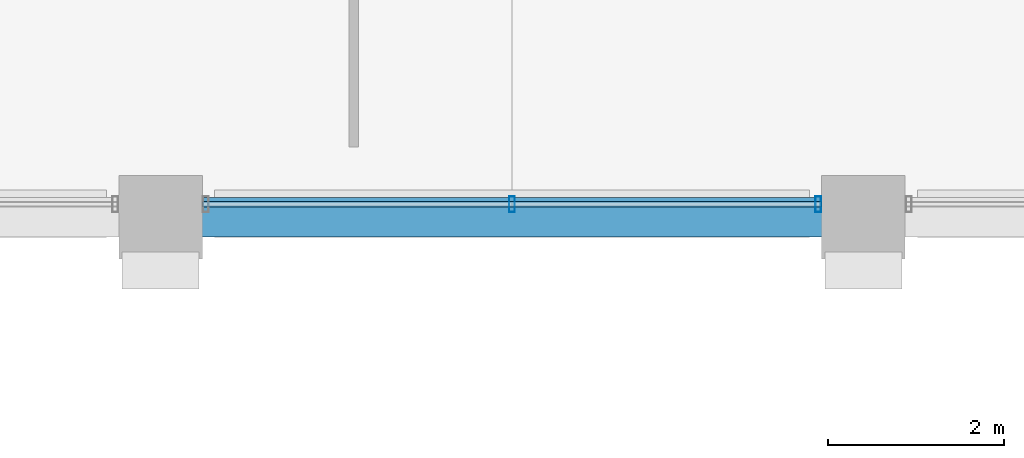
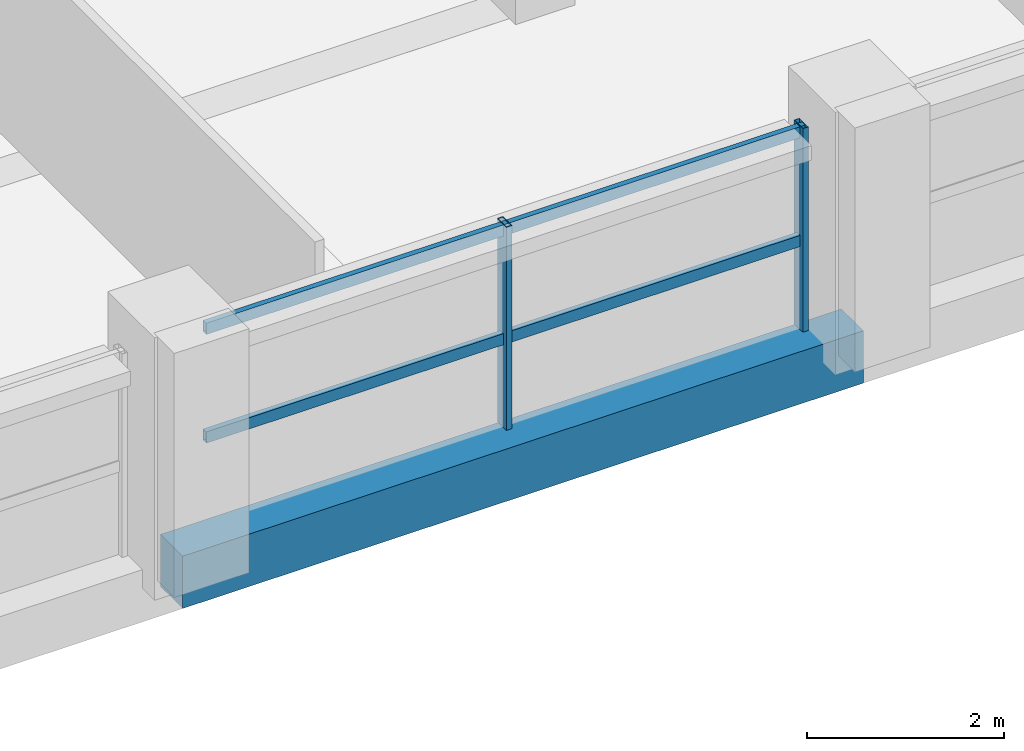
# One storey, part 5 of 25: 4 members, 1 beam, 1 element without a shape of its own.
"""IFC4 building model written with IfcOpenShell, lengths in metres."""

import ifcopenshell
import ifcopenshell.guid

model = None  # the IFC model being written
_history = None  # IfcOwnerHistory: only IFC2X3 demands one
_inside = {}  # id of a spatial element -> (the spatial element, [elements in it])
_under = {}  # id of a project, library or spatial element -> (it, [spatial elements below it])
_declared = {}  # id of a project -> (the project, [libraries it declares])
_typed = {}  # id of a type object -> (the type object, [elements of that type])
_made_of = {}  # id of a material, layer set ... -> (it, [elements and type objects made of it])


def new_model(schema):
    """Start an empty IFC model of exactly this schema.

    Asked for "IFC4X3", IfcOpenShell would pick the latest addendum, in which some entities
    have other attributes; the version numbers below select the first issue.
    IFC2X3 requires an IfcOwnerHistory on every rooted entity: one is made here for all.
    """
    global model, _history
    if schema == "IFC4X3":
        model = ifcopenshell.file(schema_version=(4, 3, 0, 0))
    else:
        model = ifcopenshell.file(schema=schema)
    _inside.clear()
    _under.clear()
    _declared.clear()
    _typed.clear()
    _made_of.clear()
    _history = None
    if model.schema == "IFC2X3":
        org = make("IfcOrganization", Name="unknown")
        user = make(
            "IfcPersonAndOrganization",
            ThePerson=make("IfcPerson", FamilyName="unknown"),
            TheOrganization=org,
        )
        app = make(
            "IfcApplication",
            ApplicationDeveloper=org,
            Version="unknown",
            ApplicationFullName="unknown",
            ApplicationIdentifier="unknown",
        )
        _history = make(
            "IfcOwnerHistory",
            OwningUser=user,
            OwningApplication=app,
            ChangeAction="ADDED",
            CreationDate=0,
        )
    return model


def make(cls, **values):
    """One entity of the class cls with the attributes given. An attribute that is None is left unset."""
    return model.create_entity(
        cls, **{name: value for name, value in values.items() if value is not None}
    )


def rooted(cls, **values):
    """An entity with a GlobalId (a new one), such as an element, a storey or a relation."""
    return make(cls, GlobalId=ifcopenshell.guid.new(), OwnerHistory=_history, **values)


def si_unit(unit_type, name, prefix=None):
    """IfcSIUnit, for example si_unit("LENGTHUNIT", "METRE", prefix="MILLI")."""
    return make("IfcSIUnit", UnitType=unit_type, Prefix=prefix, Name=name)


def assignment(units):
    """IfcUnitAssignment: the units of a project."""
    return None if units is None else make("IfcUnitAssignment", Units=units)


def point(xyz):
    """IfcCartesianPoint."""
    return None if xyz is None else make("IfcCartesianPoint", Coordinates=xyz)


def direction(xyz):
    """IfcDirection."""
    return None if xyz is None else make("IfcDirection", DirectionRatios=xyz)


def frame(location, z_axis=None, x_axis=None):
    """IfcAxis2Placement3D, a coordinate frame: its origin and axes. An axis left out is left unset."""
    return make(
        "IfcAxis2Placement3D",
        Location=point(location),
        Axis=direction(z_axis),
        RefDirection=direction(x_axis),
    )


def frame_2d(location, x_axis=None):
    """IfcAxis2Placement2D, a coordinate frame in the plane: its origin and x axis."""
    return make(
        "IfcAxis2Placement2D", Location=point(location), RefDirection=direction(x_axis)
    )


def origin():
    """The frame at (0, 0, 0) with its axes left unset."""
    return frame((0.0, 0.0, 0.0))


def origin_2d():
    """The frame at (0, 0) in the plane with its x axis left unset."""
    return frame_2d((0.0, 0.0))


def place(relative_to, where):
    """IfcLocalPlacement: puts the frame where relative to a parent placement (None: the world)."""
    return make(
        "IfcLocalPlacement", PlacementRelTo=relative_to, RelativePlacement=where
    )


def context(
    kind, dimensions, precision=None, world=None, true_north=None, identifier=None
):
    """IfcGeometricRepresentationContext, for example the 3D "Model" context."""
    return make(
        "IfcGeometricRepresentationContext",
        ContextIdentifier=identifier,
        ContextType=kind,
        CoordinateSpaceDimension=dimensions,
        Precision=precision,
        WorldCoordinateSystem=world,
        TrueNorth=true_north,
    )


def subcontext(parent, identifier, kind, view, scale=None):
    """IfcGeometricRepresentationSubContext, for example "Body" below "Model"."""
    return make(
        "IfcGeometricRepresentationSubContext",
        ContextIdentifier=identifier,
        ContextType=kind,
        ParentContext=parent,
        TargetScale=scale,
        TargetView=view,
    )


def project(units=None, contexts=None):
    """IfcProject with its units and contexts."""
    return rooted(
        "IfcProject",
        Name="project",
        RepresentationContexts=contexts,
        UnitsInContext=assignment(units),
    )


def spatial(cls, under=None, at=None, **own):
    """A site, building, storey or space (cls), placed at a placement, below another one or the project."""
    s = rooted(cls, ObjectPlacement=at, **own)
    if under is not None:
        _under.setdefault(under.id(), (under, []))[1].append(s)
    return s


def profile(cls, at=None, kind="AREA", **sizes):
    """A parametric profile (cls). Its sizes go by their IFC names, for example OverallWidth=200.0."""
    return make(cls, ProfileType=kind, Position=at, **sizes)


def rectangle(**sizes):
    """IfcRectangleProfileDef."""
    return profile("IfcRectangleProfileDef", **sizes)


def hollow_rectangle(**sizes):
    """IfcRectangleHollowProfileDef."""
    return profile("IfcRectangleHollowProfileDef", **sizes)


def extrude(swept, where, along, depth):
    """IfcExtrudedAreaSolid: the profile swept, set in the frame where, extruded along a direction by depth."""
    return make(
        "IfcExtrudedAreaSolid",
        SweptArea=swept,
        Position=where,
        ExtrudedDirection=direction(along),
        Depth=depth,
    )


def shape(context_of_items, identifier, shape_type, items):
    """IfcShapeRepresentation: the items that make up one representation, for example the "Body"."""
    return make(
        "IfcShapeRepresentation",
        ContextOfItems=context_of_items,
        RepresentationIdentifier=identifier,
        RepresentationType=shape_type,
        Items=items,
    )


def material(Name=None, Category=None):
    """IfcMaterial."""
    return make("IfcMaterial", Name=Name, Category=Category)


def material_profile(
    of_material, cross_section, Name=None, Category=None, Priority=None
):
    """IfcMaterialProfile: a cross section and its material."""
    return make(
        "IfcMaterialProfile",
        Name=Name,
        Material=of_material,
        Profile=cross_section,
        Priority=Priority,
        Category=Category,
    )


def profile_set(profiles, Name=None, composite=None):
    """IfcMaterialProfileSet."""
    return make(
        "IfcMaterialProfileSet",
        Name=Name,
        MaterialProfiles=profiles,
        CompositeProfile=composite,
    )


def made_of(thing, what):
    """Note that an element or type object is made of a material, layer set ...; save() writes the relation."""
    if what is not None:
        _made_of.setdefault(what.id(), (what, []))[1].append(thing)
    return thing


def type_object(cls, material=None, **own):
    """A type object (cls), such as IfcWallType, which elements share."""
    return made_of(rooted(cls, **own), material)


def element(
    cls,
    number,
    at=None,
    inside=None,
    cuts=None,
    type_object=None,
    material=None,
    context=None,
    identifier="Body",
    shape_type=None,
    held_by="IfcProductDefinitionShape",
    body=None,
    shapes=None,
    **own,
):
    """One element of the class cls, such as IfcWall. Its Tag is "e" and its number.

    at: its placement. inside: the storey or other place that contains it. cuts: it is an
    opening in that element (IfcRelVoidsElement). A single representation is given by context,
    identifier, shape_type and body (its items); several are given by shapes. held_by: the class
    of the entity that holds the representations. save() writes the other relations.
    """
    e = rooted(cls, Tag="e%d" % number, ObjectPlacement=at, **own)
    if body is not None:
        shapes = [shape(context, identifier, shape_type, body)]
    if shapes is not None:
        e.Representation = make(held_by, Representations=shapes)
    if inside is not None:
        _inside.setdefault(inside.id(), (inside, []))[1].append(e)
    if cuts is not None:
        rooted(
            "IfcRelVoidsElement", RelatingBuildingElement=cuts, RelatedOpeningElement=e
        )
    if type_object is not None:
        _typed.setdefault(type_object.id(), (type_object, []))[1].append(e)
    return made_of(e, material)


def aggregate(whole, parts):
    """IfcRelAggregates: a whole, such as a stair, and the parts it consists of."""
    return rooted("IfcRelAggregates", RelatingObject=whole, RelatedObjects=parts)


def save(model, path):
    """Write the relations noted so far, then the file.

    IfcRelAggregates (storeys below a building ...), IfcRelContainedInSpatialStructure (elements
    in a storey), IfcRelDefinesByType, IfcRelAssociatesMaterial and IfcRelDeclares: one each for
    every whole, place, type object, material and project.
    """
    for whole, parts in _under.values():
        aggregate(whole, parts)
    for where, things in _inside.values():
        rooted(
            "IfcRelContainedInSpatialStructure",
            RelatedElements=things,
            RelatingStructure=where,
        )
    for kind, things in _typed.values():
        rooted("IfcRelDefinesByType", RelatedObjects=things, RelatingType=kind)
    for what, things in _made_of.values():
        rooted("IfcRelAssociatesMaterial", RelatedObjects=things, RelatingMaterial=what)
    for by, libraries in _declared.values():
        rooted("IfcRelDeclares", RelatingContext=by, RelatedDefinitions=libraries)
    model.write(path)


model = new_model("IFC4")

# Units and contexts
model_context = context("Model", 3, precision=1e-05, world=origin(), true_north=direction((0.0, 1.0)))
body_context = subcontext(model_context, "Body", "Model", "MODEL_VIEW")
ifc_project = project(units=[si_unit("LENGTHUNIT", "METRE"), si_unit("AREAUNIT", "SQUARE_METRE"), si_unit("VOLUMEUNIT", "CUBIC_METRE"), si_unit("PLANEANGLEUNIT", "RADIAN"), si_unit("MASSUNIT", "GRAM", prefix="KILO")], contexts=[model_context])

# Site, building, storey
site_placement = place(None, origin())
site = spatial("IfcSite", under=ifc_project, at=site_placement, CompositionType="ELEMENT")
building_placement = place(site_placement, origin())
building = spatial("IfcBuilding", under=site, at=building_placement, Name="Akrevak Sports Hall", CompositionType="ELEMENT")
storey_placement = place(building_placement, frame((0.0, 0.0, 50.300048828125)))
storey = spatial("IfcBuildingStorey", under=building, at=storey_placement, Name="L12", CompositionType="ELEMENT", Elevation=50.300048828125)

# Curtain wall, members
ifc_material_1 = material(Name="Anodized Bronze Aluminium & Low-E Glass", Category="aluminium")
curtain_wall_type = type_object("IfcCurtainWallType", Name="ARC-CW-TWR-72x30", PredefinedType="NOTDEFINED", material=ifc_material_1)
curtain_wall_placement = place(storey_placement, origin())
curtain_wall = element("IfcCurtainWall", 1, at=curtain_wall_placement, inside=storey, type_object=curtain_wall_type, Name="Curtain Wall CW-L12-S05", PredefinedType="NOTDEFINED")
ifc_material_2 = material(Name="Anodized Bronze Aluminium", Category="aluminium")
ifc_material_profile_1 = material_profile(ifc_material_2, hollow_rectangle(XDim=0.06494140625, YDim=0.179931640625, WallThickness=0.00390625, at=origin_2d()), Name="CWM 65x180", Category="aluminium")
ifc_profile_set_1 = profile_set([ifc_material_profile_1], Name="Anodized Bronze Aluminium")
member_type_1 = type_object("IfcMemberType", Name="ARC-CWM-65x140", PredefinedType="MULLION", material=ifc_profile_set_1)
member_1_placement = place(storey_placement, frame((80.0, 28.949951171875, 0.0), z_axis=(0.0, 0.0, 1.0), x_axis=(1.0, 0.0, 0.0)))
member_1 = element("IfcMember", 2, at=member_1_placement, type_object=member_type_1, Name="Curtain Wall Mullion CW-L12-S05-M2", PredefinedType="MULLION", context=body_context, shape_type="SweptSolid", body=[
    extrude(hollow_rectangle(XDim=0.06494140625, YDim=0.179931640625, WallThickness=0.00390625, at=origin_2d()), origin(), (0.0, 0.0, 1.0), 2.530029296875),
])
member_2_placement = place(storey_placement, frame((83.485107421875, 28.949951171875, 0.0), z_axis=(0.0, 0.0, 1.0), x_axis=(1.0, 0.0, 0.0)))
member_2 = element("IfcMember", 3, at=member_2_placement, type_object=member_type_1, Name="Curtain Wall Mullion CW-L12-S05-M3", PredefinedType="MULLION", context=body_context, shape_type="SweptSolid", body=[
    extrude(hollow_rectangle(XDim=0.06494140625, YDim=0.179931640625, WallThickness=0.00390625, at=origin_2d()), origin(), (0.0, 0.0, 1.0), 2.530029296875),
])
ifc_material_profile_2 = material_profile(ifc_material_2, hollow_rectangle(XDim=0.06494140625, YDim=0.139892578125, WallThickness=0.00390625, at=origin_2d()), Name="CWT 65x140", Category="aluminium")
ifc_profile_set_2 = profile_set([ifc_material_profile_2], Name="Anodized Bronze Aluminium")
member_type_2 = type_object("IfcMemberType", Name="ARC-CWT-65x110", PredefinedType="USERDEFINED", material=ifc_profile_set_2)
member_3_placement = place(storey_placement, frame((76.47509765625, 28.949951171875, 1.099853515625), z_axis=(1.0, 0.0, 0.0), x_axis=(0.0, 1.0, 0.0)))
member_3 = element("IfcMember", 4, at=member_3_placement, type_object=member_type_2, Name="Curtain Wall Transom CW-L12-S05-T1", ObjectType="TRANSOM", PredefinedType="USERDEFINED", context=body_context, shape_type="SweptSolid", body=[
    extrude(hollow_rectangle(XDim=0.06494140625, YDim=0.139892578125, WallThickness=0.00390625, at=origin_2d()), origin(), (0.0, 0.0, 1.0), 7.0498046875),
])
member_4_placement = place(storey_placement, frame((76.47509765625, 28.949951171875, 2.449951171875), z_axis=(1.0, 0.0, 0.0), x_axis=(0.0, 1.0, 0.0)))
member_4 = element("IfcMember", 5, at=member_4_placement, type_object=member_type_2, Name="Curtain Wall Transom CW-L12-S05-T2", ObjectType="TRANSOM", PredefinedType="USERDEFINED", context=body_context, shape_type="SweptSolid", body=[
    extrude(hollow_rectangle(XDim=0.06494140625, YDim=0.139892578125, WallThickness=0.00390625, at=origin_2d()), origin(), (0.0, 0.0, 1.0), 7.0498046875),
])
aggregate(curtain_wall, [member_1, member_2, member_3, member_4])

# Beam
ifc_material_3 = material(Name="Concrete C40/50", Category="concrete")
ifc_material_profile_3 = material_profile(ifc_material_3, rectangle(XDim=0.449951171875, YDim=0.64990234375, at=origin_2d()), Name="BM 450x650", Category="concrete")
ifc_profile_set_3 = profile_set([ifc_material_profile_3], Name="Concrete C40/50")
beam_type = type_object("IfcBeamType", Name="STR-BM-RC450x650", PredefinedType="BEAM", material=ifc_profile_set_3)
beam_placement = place(storey_placement, frame((76.0, 28.800048828125, -0.324951171875), z_axis=(1.0, 0.0, 0.0), x_axis=(0.0, 1.0, 0.0)))
element("IfcBeam", 6, at=beam_placement, inside=storey, type_object=beam_type, Name="Girder E/11-12 (L12)", PredefinedType="BEAM", context=body_context, shape_type="SweptSolid", body=[
    extrude(rectangle(XDim=0.449951171875, YDim=0.64990234375, at=origin_2d()), origin(), (0.0, 0.0, 1.0), 8.0),
])

save(model, "model.ifc")
